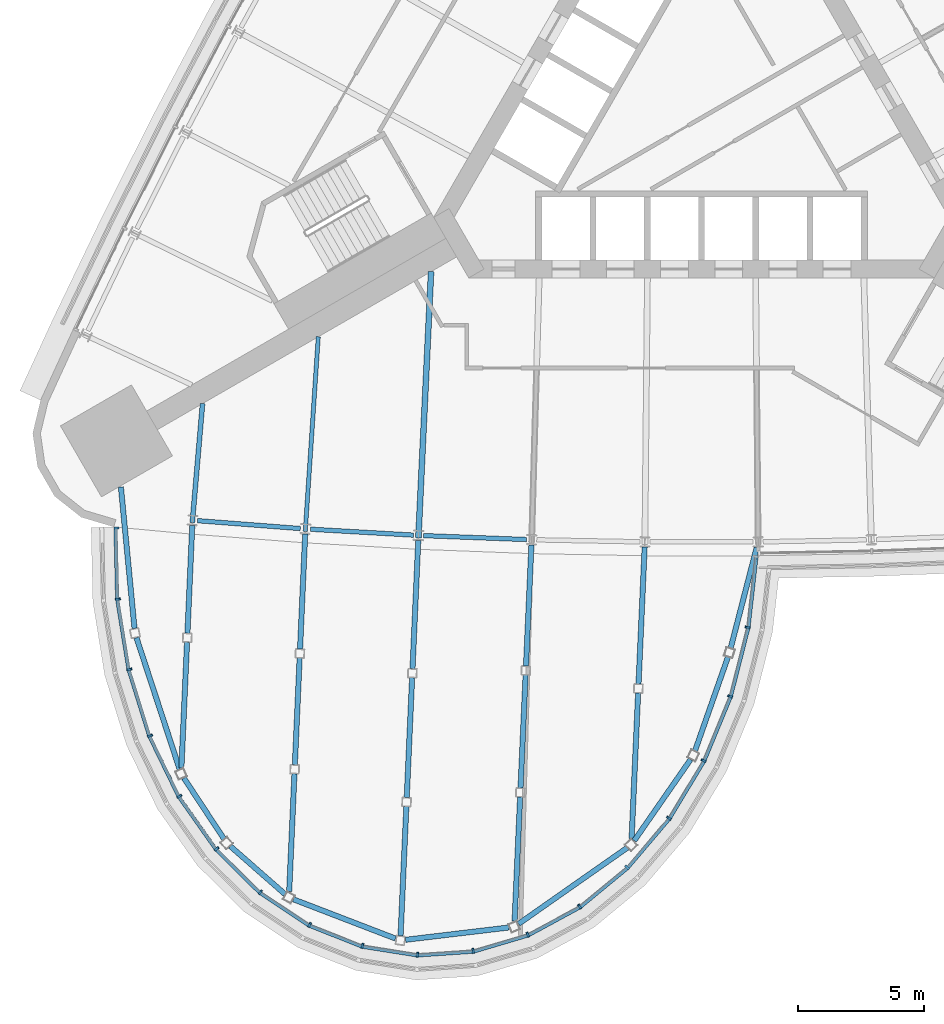
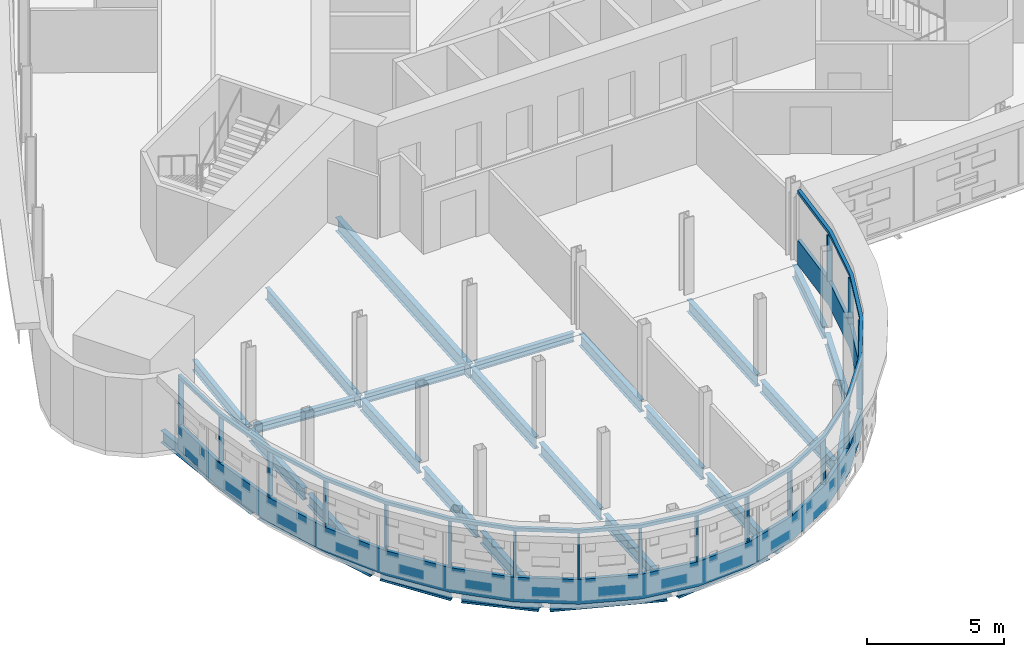
# One storey, part 3 of 16: 29 beams, 20 members, 1 element without a shape of its own.
"""IFC4 building model written with IfcOpenShell, lengths in metres."""

from ifc_helpers import new_model, si_unit, direction, frame, origin, origin_2d, place, context, subcontext, project, spatial, polyline, rectangle, i_section, outline, extrude, material, material_profile, profile_set, type_object, element, aggregate, save


model = new_model("IFC4")

# Units and contexts
model_context = context("Model", 3, precision=1e-05, world=origin(), true_north=direction((0.0, 1.0)))
body_context = subcontext(model_context, "Body", "Model", "MODEL_VIEW")
ifc_project = project(units=[si_unit("LENGTHUNIT", "METRE"), si_unit("AREAUNIT", "SQUARE_METRE"), si_unit("VOLUMEUNIT", "CUBIC_METRE"), si_unit("PLANEANGLEUNIT", "RADIAN"), si_unit("MASSUNIT", "GRAM", prefix="KILO")], contexts=[model_context])

# Site, building, storey
site_placement = place(None, origin())
site = spatial("IfcSite", under=ifc_project, at=site_placement, CompositionType="ELEMENT")
building_placement = place(site_placement, origin())
building = spatial("IfcBuilding", under=site, at=building_placement, Name="Noor Cloister Tower", CompositionType="ELEMENT")
storey_placement = place(building_placement, frame((0.0, 0.0, 61.800048828125)))
storey = spatial("IfcBuildingStorey", under=building, at=storey_placement, Name="L15", CompositionType="ELEMENT", Elevation=61.800048828125)

# Curtain wall, members
ifc_material_1 = material(Name="Aluminium 6063-T6 anodised", Category="aluminium")
curtain_wall_type = type_object("IfcCurtainWallType", Name="Sky bar curtain wall, lower bars CW2", PredefinedType="NOTDEFINED", material=ifc_material_1)
curtain_wall_placement = place(storey_placement, origin())
curtain_wall = element("IfcCurtainWall", 1, at=curtain_wall_placement, inside=storey, type_object=curtain_wall_type, Name="CW2 L15 S sky bar run 2", PredefinedType="NOTDEFINED")
ifc_material_2 = material(Name="Aluminium 6063-T6 anodised", Category="aluminium")
member_type_1 = type_object("IfcMemberType", Name="Head transom CW2 150", PredefinedType="USERDEFINED", material=ifc_material_2)
member_1_placement = place(storey_placement, frame((0.0, 0.0, 3.14990234375)))
member_1 = element("IfcMember", 2, at=member_1_placement, type_object=member_type_1, Name="CW2 head transom", ObjectType="TRANSOM", PredefinedType="USERDEFINED", context=body_context, shape_type="SweptSolid", body=[
    extrude(outline(polyline([(-23.29736328125, -16.80029296875), (-23.2314453125, -19.67138671875), (-22.779296875, -22.472412109375), (-21.954833984375, -25.11865234375), (-20.783203125, -27.529541015625), (-19.299560546875, -29.6318359375), (-17.549560546875, -31.361328125), (-15.5859375, -32.666015625), (-13.468505859375, -33.506103515625), (-11.26171875, -33.855712890625), (-9.0322265625, -33.70458984375), (-6.84814453125, -33.05712890625), (-4.77587890625, -31.933349609375), (-2.878173828125, -30.366943359375), (-1.212890625, -28.40576171875), (0.169677734375, -26.109130859375), (1.227294921875, -23.54736328125), (1.927734375, -20.797607421875), (2.25, -17.944091796875), (2.11083984375, -17.928466796875), (1.789794921875, -20.7724609375), (1.093994140625, -23.503173828125), (0.044189453125, -26.046142578125), (-1.326904296875, -28.32373046875), (-2.976806640625, -30.266845703125), (-4.8544921875, -31.816650390625), (-6.902099609375, -32.92724609375), (-9.05712890625, -33.56591796875), (-11.25537109375, -33.71484375), (-13.431396484375, -33.3701171875), (-15.520751953125, -32.541259765625), (-17.460693359375, -31.252197265625), (-19.1923828125, -29.540771484375), (-20.662109375, -27.4580078125), (-21.824462890625, -25.06689453125), (-22.642578125, -22.4404296875), (-23.091552734375, -19.658447265625), (-23.1572265625, -16.797119140625), (-23.29736328125, -16.80029296875)])), origin(), (0.0, 0.0, 1.0), 0.150146484375),
])
ifc_material_3 = material(Name="Aluminium 6063-T6 anodised", Category="aluminium")
ifc_material_profile_1 = material_profile(ifc_material_3, rectangle(XDim=0.199951171875, YDim=0.080078125, at=origin_2d()), Name="200 x 80 mullion")
ifc_profile_set_1 = profile_set([ifc_material_profile_1], Name="Aluminium 6063-T6 anodised")
member_type_2 = type_object("IfcMemberType", Name="Mullion CW2 80 x 200", PredefinedType="MULLION", material=ifc_profile_set_1)
member_2_placement = place(storey_placement, frame((-23.1962890625, -16.838134765625, 1.099853515625), z_axis=(0.0, 0.0, 1.0), x_axis=(0.999736542199, 0.022953130341, 0.0)))
member_2 = element("IfcMember", 3, at=member_2_placement, type_object=member_type_2, Name="CW2 mullion 1", PredefinedType="MULLION", context=body_context, shape_type="SweptSolid", body=[
    extrude(rectangle(XDim=0.199951171875, YDim=0.080078125, at=origin_2d()), origin(), (0.0, 0.0, 1.0), 2.050048828125),
])
member_3_placement = place(storey_placement, frame((-23.131591796875, -19.662109375, 1.099853515625), z_axis=(0.0, 0.0, 1.0), x_axis=(0.995819098609, 0.091347265121, 0.0)))
member_3 = element("IfcMember", 4, at=member_3_placement, type_object=member_type_2, Name="CW2 mullion 2", PredefinedType="MULLION", context=body_context, shape_type="SweptSolid", body=[
    extrude(rectangle(XDim=0.199951171875, YDim=0.080078125, at=origin_2d()), origin(), (0.0, 0.0, 1.0), 2.050048828125),
])
member_4_placement = place(storey_placement, frame((-22.681640625, -22.449462890625, 1.099853515625), z_axis=(0.0, 0.0, 1.0), x_axis=(0.973436544344, 0.228956970053, 0.0)))
member_4 = element("IfcMember", 5, at=member_4_placement, type_object=member_type_2, Name="CW2 mullion 3", PredefinedType="MULLION", context=body_context, shape_type="SweptSolid", body=[
    extrude(rectangle(XDim=0.199951171875, YDim=0.080078125, at=origin_2d()), origin(), (0.0, 0.0, 1.0), 2.050048828125),
])
member_5_placement = place(storey_placement, frame((-21.861572265625, -25.081787109375, 1.099853515625), z_axis=(0.0, 0.0, 1.0), x_axis=(0.929693335722, 0.368334496775, 0.0)))
member_5 = element("IfcMember", 6, at=member_5_placement, type_object=member_type_2, Name="CW2 mullion 4", PredefinedType="MULLION", context=body_context, shape_type="SweptSolid", body=[
    extrude(rectangle(XDim=0.199951171875, YDim=0.080078125, at=origin_2d()), origin(), (0.0, 0.0, 1.0), 2.050048828125),
])
member_6_placement = place(storey_placement, frame((-20.69677734375, -27.478515625, 1.099853515625), z_axis=(0.0, 0.0, 1.0), x_axis=(0.861046227696, 0.508526689339, 0.0)))
member_6 = element("IfcMember", 7, at=member_6_placement, type_object=member_type_2, Name="CW2 mullion 5", PredefinedType="MULLION", context=body_context, shape_type="SweptSolid", body=[
    extrude(rectangle(XDim=0.199951171875, YDim=0.080078125, at=origin_2d()), origin(), (0.0, 0.0, 1.0), 2.050048828125),
])
member_7_placement = place(storey_placement, frame((-19.22314453125, -29.56689453125, 1.099853515625), z_axis=(0.0, 0.0, 1.0), x_axis=(0.762969968702, 0.646433930777, 0.0)))
member_7 = element("IfcMember", 8, at=member_7_placement, type_object=member_type_2, Name="CW2 mullion 6", PredefinedType="MULLION", context=body_context, shape_type="SweptSolid", body=[
    extrude(rectangle(XDim=0.199951171875, YDim=0.080078125, at=origin_2d()), origin(), (0.0, 0.0, 1.0), 2.050048828125),
])
member_8_placement = place(storey_placement, frame((-17.486083984375, -31.283447265625, 1.099853515625), z_axis=(0.0, 0.0, 1.0), x_axis=(0.631107253283, 0.775695581304, 0.0)))
member_8 = element("IfcMember", 9, at=member_8_placement, type_object=member_type_2, Name="CW2 mullion 7", PredefinedType="MULLION", context=body_context, shape_type="SweptSolid", body=[
    extrude(rectangle(XDim=0.199951171875, YDim=0.080078125, at=origin_2d()), origin(), (0.0, 0.0, 1.0), 2.050048828125),
])
member_9_placement = place(storey_placement, frame((-15.539306640625, -32.576904296875, 1.099853515625), z_axis=(0.0, 0.0, 1.0), x_axis=(0.463586406363, 0.886051716231, 0.0)))
member_9 = element("IfcMember", 10, at=member_9_placement, type_object=member_type_2, Name="CW2 mullion 8", PredefinedType="MULLION", context=body_context, shape_type="SweptSolid", body=[
    extrude(rectangle(XDim=0.199951171875, YDim=0.080078125, at=origin_2d()), origin(), (0.0, 0.0, 1.0), 2.050048828125),
])
member_10_placement = place(storey_placement, frame((-13.44189453125, -33.408935546875, 1.099853515625), z_axis=(0.0, 0.0, 1.0), x_axis=(0.264225887671, 0.964460823613, 0.0)))
member_10 = element("IfcMember", 11, at=member_10_placement, type_object=member_type_2, Name="CW2 mullion 9", PredefinedType="MULLION", context=body_context, shape_type="SweptSolid", body=[
    extrude(rectangle(XDim=0.199951171875, YDim=0.080078125, at=origin_2d()), origin(), (0.0, 0.0, 1.0), 2.050048828125),
])
member_11_placement = place(storey_placement, frame((-11.257080078125, -33.755126953125, 1.099853515625), z_axis=(0.0, 0.0, 1.0), x_axis=(0.044724270619, 0.998999369178, 0.0)))
member_11 = element("IfcMember", 12, at=member_11_placement, type_object=member_type_2, Name="CW2 mullion 10", PredefinedType="MULLION", context=body_context, shape_type="SweptSolid", body=[
    extrude(rectangle(XDim=0.199951171875, YDim=0.080078125, at=origin_2d()), origin(), (0.0, 0.0, 1.0), 2.050048828125),
])
member_12_placement = place(storey_placement, frame((-9.050048828125, -33.60546875, 1.099853515625), z_axis=(0.0, 0.0, 1.0), x_axis=(-0.176985556802, 0.984213448741, 0.0)))
member_12 = element("IfcMember", 13, at=member_12_placement, type_object=member_type_2, Name="CW2 mullion 11", PredefinedType="MULLION", context=body_context, shape_type="SweptSolid", body=[
    extrude(rectangle(XDim=0.199951171875, YDim=0.080078125, at=origin_2d()), origin(), (0.0, 0.0, 1.0), 2.050048828125),
])
member_13_placement = place(storey_placement, frame((-6.88671875, -32.96435546875, 1.099853515625), z_axis=(0.0, 0.0, 1.0), x_axis=(-0.38255509187, 0.923932682442, 0.0)))
member_13 = element("IfcMember", 14, at=member_13_placement, type_object=member_type_2, Name="CW2 mullion 12", PredefinedType="MULLION", context=body_context, shape_type="SweptSolid", body=[
    extrude(rectangle(XDim=0.199951171875, YDim=0.080078125, at=origin_2d()), origin(), (0.0, 0.0, 1.0), 2.050048828125),
])
member_14_placement = place(storey_placement, frame((-4.83203125, -31.85009765625, 1.099853515625), z_axis=(0.0, 0.0, 1.0), x_axis=(-0.559267086026, 0.82898753096, 0.0)))
member_14 = element("IfcMember", 15, at=member_14_placement, type_object=member_type_2, Name="CW2 mullion 13", PredefinedType="MULLION", context=body_context, shape_type="SweptSolid", body=[
    extrude(rectangle(XDim=0.199951171875, YDim=0.080078125, at=origin_2d()), origin(), (0.0, 0.0, 1.0), 2.050048828125),
])
member_15_placement = place(storey_placement, frame((-2.94873046875, -30.29541015625, 1.099853515625), z_axis=(0.0, 0.0, 1.0), x_axis=(-0.702152978432, 0.71202611952, 0.0)))
member_15 = element("IfcMember", 16, at=member_15_placement, type_object=member_type_2, Name="CW2 mullion 14", PredefinedType="MULLION", context=body_context, shape_type="SweptSolid", body=[
    extrude(rectangle(XDim=0.199951171875, YDim=0.080078125, at=origin_2d()), origin(), (0.0, 0.0, 1.0), 2.050048828125),
])
member_16_placement = place(storey_placement, frame((-1.29443359375, -28.34716796875, 1.099853515625), z_axis=(0.0, 0.0, 1.0), x_axis=(-0.812160129323, 0.583434593025, 0.0)))
member_16 = element("IfcMember", 17, at=member_16_placement, type_object=member_type_2, Name="CW2 mullion 15", PredefinedType="MULLION", context=body_context, shape_type="SweptSolid", body=[
    extrude(rectangle(XDim=0.199951171875, YDim=0.080078125, at=origin_2d()), origin(), (0.0, 0.0, 1.0), 2.050048828125),
])
member_17_placement = place(storey_placement, frame((0.080078125, -26.064208984375, 1.099853515625), z_axis=(0.0, 0.0, 1.0), x_axis=(-0.89306006257, 0.44993746748, 0.0)))
member_17 = element("IfcMember", 18, at=member_17_placement, type_object=member_type_2, Name="CW2 mullion 16", PredefinedType="MULLION", context=body_context, shape_type="SweptSolid", body=[
    extrude(rectangle(XDim=0.199951171875, YDim=0.080078125, at=origin_2d()), origin(), (0.0, 0.0, 1.0), 2.050048828125),
])
member_18_placement = place(storey_placement, frame((1.132080078125, -23.515625, 1.099853515625), z_axis=(0.0, 0.0, 1.0), x_axis=(-0.949082911545, 0.315026390978, 0.0)))
member_18 = element("IfcMember", 19, at=member_18_placement, type_object=member_type_2, Name="CW2 mullion 17", PredefinedType="MULLION", context=body_context, shape_type="SweptSolid", body=[
    extrude(rectangle(XDim=0.199951171875, YDim=0.080078125, at=origin_2d()), origin(), (0.0, 0.0, 1.0), 2.050048828125),
])
member_19_placement = place(storey_placement, frame((1.8291015625, -20.77978515625, 1.099853515625), z_axis=(0.0, 0.0, 1.0), x_axis=(-0.98367260005, 0.179967263442, 0.0)))
member_19 = element("IfcMember", 20, at=member_19_placement, type_object=member_type_2, Name="CW2 mullion 18", PredefinedType="MULLION", context=body_context, shape_type="SweptSolid", body=[
    extrude(rectangle(XDim=0.199951171875, YDim=0.080078125, at=origin_2d()), origin(), (0.0, 0.0, 1.0), 2.050048828125),
])

# Beams
ifc_material_4 = material(Name="Steel ASTM A992 Gr 50", Category="steel")
ifc_material_profile_2 = material_profile(ifc_material_4, i_section(OverallWidth=0.208984375, OverallDepth=0.532958984375, WebThickness=0.01025390625, FlangeThickness=0.015625, FilletRadius=0.0126953125, at=origin_2d()), Name="W530x92")
ifc_profile_set_2 = profile_set([ifc_material_profile_2], Name="Steel ASTM A992 Gr 50")
beam_type_1 = type_object("IfcBeamType", Name="Pod floor beam W530x92", PredefinedType="BEAM", material=ifc_profile_set_2)
beam_1_placement = place(storey_placement, frame((-20.187255859375, -16.74462890625, -0.466552734375), z_axis=(-0.0447185403, -0.998999625702, 0.0), x_axis=(0.998999625702, -0.0447185403, 0.0)))
element("IfcBeam", 21, at=beam_1_placement, inside=storey, type_object=beam_type_1, Name="Pod floor beam 1 L15 line 1 span 1", PredefinedType="BEAM", context=body_context, shape_type="SweptSolid", body=[
    extrude(i_section(OverallWidth=0.208984375, OverallDepth=0.532958984375, WebThickness=0.01025390625, FlangeThickness=0.015625, FilletRadius=0.0126953125, at=origin_2d()), origin(), (0.0, 0.0, 1.0), 4.27490234375),
])
beam_2_placement = place(storey_placement, frame((-20.394287109375, -21.370849609375, -0.466552734375), z_axis=(-0.044697027211, -0.999000588468, 0.0), x_axis=(0.999000588468, -0.044697027211, 0.0)))
element("IfcBeam", 22, at=beam_2_placement, inside=storey, type_object=beam_type_1, Name="Pod floor beam 1 L15 line 1 span 2", PredefinedType="BEAM", context=body_context, shape_type="SweptSolid", body=[
    extrude(i_section(OverallWidth=0.208984375, OverallDepth=0.532958984375, WebThickness=0.01025390625, FlangeThickness=0.015625, FilletRadius=0.0126953125, at=origin_2d()), origin(), (0.0, 0.0, 1.0), 4.98681640625),
])
beam_3_placement = place(storey_placement, frame((-15.710693359375, -17.0849609375, -0.466552734375), z_axis=(-0.044713773715, -0.998999839059, 0.0), x_axis=(0.998999839059, -0.044713773715, 0.0)))
element("IfcBeam", 23, at=beam_3_placement, inside=storey, type_object=beam_type_1, Name="Pod floor beam 1 L15 line 2 span 1", PredefinedType="BEAM", context=body_context, shape_type="SweptSolid", body=[
    extrude(i_section(OverallWidth=0.208984375, OverallDepth=0.532958984375, WebThickness=0.01025390625, FlangeThickness=0.015625, FilletRadius=0.0126953125, at=origin_2d()), origin(), (0.0, 0.0, 1.0), 4.564697265625),
])
beam_4_placement = place(storey_placement, frame((-15.930908203125, -22.000732421875, -0.466552734375), z_axis=(-0.044711535741, -0.998999939225, 0.0), x_axis=(0.998999939225, -0.044711535741, 0.0)))
element("IfcBeam", 24, at=beam_4_placement, inside=storey, type_object=beam_type_1, Name="Pod floor beam 1 L15 line 2 span 2", PredefinedType="BEAM", context=body_context, shape_type="SweptSolid", body=[
    extrude(i_section(OverallWidth=0.208984375, OverallDepth=0.532958984375, WebThickness=0.01025390625, FlangeThickness=0.015625, FilletRadius=0.0126953125, at=origin_2d()), origin(), (0.0, 0.0, 1.0), 4.231689453125),
])
beam_5_placement = place(storey_placement, frame((-16.135986328125, -26.583984375, -0.466552734375), z_axis=(-0.04474452191, -0.998998462341, 0.0), x_axis=(0.998998462341, -0.04474452191, 0.0)))
element("IfcBeam", 25, at=beam_5_placement, inside=storey, type_object=beam_type_1, Name="Pod floor beam 1 L15 line 2 span 3", PredefinedType="BEAM", context=body_context, shape_type="SweptSolid", body=[
    extrude(i_section(OverallWidth=0.208984375, OverallDepth=0.532958984375, WebThickness=0.01025390625, FlangeThickness=0.015625, FilletRadius=0.0126953125, at=origin_2d()), origin(), (0.0, 0.0, 1.0), 4.676025390625),
])
beam_6_placement = place(storey_placement, frame((-11.228515625, -17.340087890625, -0.466552734375), z_axis=(-0.044728441489, -0.998999182443, 0.0), x_axis=(0.998999182443, -0.044728441489, 0.0)))
element("IfcBeam", 26, at=beam_6_placement, inside=storey, type_object=beam_type_1, Name="Pod floor beam 1 L15 line 3 span 1", PredefinedType="BEAM", context=body_context, shape_type="SweptSolid", body=[
    extrude(i_section(OverallWidth=0.208984375, OverallDepth=0.532958984375, WebThickness=0.01025390625, FlangeThickness=0.015625, FilletRadius=0.0126953125, at=origin_2d()), origin(), (0.0, 0.0, 1.0), 5.087158203125),
])
beam_7_placement = place(storey_placement, frame((-11.471923828125, -22.77783203125, -0.466552734375), z_axis=(-0.044758060439, -0.998997855866, 0.0), x_axis=(0.998997855866, -0.044758060439, 0.0)))
element("IfcBeam", 27, at=beam_7_placement, inside=storey, type_object=beam_type_1, Name="Pod floor beam 1 L15 line 3 span 2", PredefinedType="BEAM", context=body_context, shape_type="SweptSolid", body=[
    extrude(i_section(OverallWidth=0.208984375, OverallDepth=0.532958984375, WebThickness=0.01025390625, FlangeThickness=0.015625, FilletRadius=0.0126953125, at=origin_2d()), origin(), (0.0, 0.0, 1.0), 4.756591796875),
])
beam_8_placement = place(storey_placement, frame((-11.70068359375, -27.885009765625, -0.466552734375), z_axis=(-0.044735558828, -0.998998863751, 0.0), x_axis=(0.998998863751, -0.044735558828, 0.0)))
element("IfcBeam", 28, at=beam_8_placement, inside=storey, type_object=beam_type_1, Name="Pod floor beam 1 L15 line 3 span 3", PredefinedType="BEAM", context=body_context, shape_type="SweptSolid", body=[
    extrude(i_section(OverallWidth=0.208984375, OverallDepth=0.532958984375, WebThickness=0.01025390625, FlangeThickness=0.015625, FilletRadius=0.0126953125, at=origin_2d()), origin(), (0.0, 0.0, 1.0), 5.12451171875),
])
beam_9_placement = place(storey_placement, frame((-6.742431640625, -17.512939453125, -0.466552734375), z_axis=(-0.044756244255, -0.998997937235, 0.0), x_axis=(0.998997937235, -0.044756244255, 0.0)))
element("IfcBeam", 29, at=beam_9_placement, inside=storey, type_object=beam_type_1, Name="Pod floor beam 1 L15 line 4 span 1", PredefinedType="BEAM", context=body_context, shape_type="SweptSolid", body=[
    extrude(i_section(OverallWidth=0.208984375, OverallDepth=0.532958984375, WebThickness=0.01025390625, FlangeThickness=0.015625, FilletRadius=0.0126953125, at=origin_2d()), origin(), (0.0, 0.0, 1.0), 4.811279296875),
])
beam_10_placement = place(storey_placement, frame((-6.9736328125, -22.6748046875, -0.466552734375), z_axis=(-0.044693143381, -0.999000762229, 0.0), x_axis=(0.999000762229, -0.044693143381, 0.0)))
element("IfcBeam", 30, at=beam_10_placement, inside=storey, type_object=beam_type_1, Name="Pod floor beam 1 L15 line 4 span 2", PredefinedType="BEAM", context=body_context, shape_type="SweptSolid", body=[
    extrude(i_section(OverallWidth=0.208984375, OverallDepth=0.532958984375, WebThickness=0.01025390625, FlangeThickness=0.015625, FilletRadius=0.0126953125, at=origin_2d()), origin(), (0.0, 0.0, 1.0), 4.479248046875),
])
beam_11_placement = place(storey_placement, frame((-7.18994140625, -27.505126953125, -0.466552734375), z_axis=(-0.044691358875, -0.999000842063, 0.0), x_axis=(0.999000842063, -0.044691358875, 0.0)))
element("IfcBeam", 31, at=beam_11_placement, inside=storey, type_object=beam_type_1, Name="Pod floor beam 1 L15 line 4 span 3", PredefinedType="BEAM", context=body_context, shape_type="SweptSolid", body=[
    extrude(i_section(OverallWidth=0.208984375, OverallDepth=0.532958984375, WebThickness=0.01025390625, FlangeThickness=0.015625, FilletRadius=0.0126953125, at=origin_2d()), origin(), (0.0, 0.0, 1.0), 4.91650390625),
])
beam_12_placement = place(storey_placement, frame((-2.25390625, -17.6005859375, -0.466552734375), z_axis=(-0.044724605508, -0.998999354185, 0.0), x_axis=(0.998999354185, -0.044724605508, 0.0)))
element("IfcBeam", 32, at=beam_12_placement, inside=storey, type_object=beam_type_1, Name="Pod floor beam 1 L15 line 5 span 1", PredefinedType="BEAM", context=body_context, shape_type="SweptSolid", body=[
    extrude(i_section(OverallWidth=0.208984375, OverallDepth=0.532958984375, WebThickness=0.01025390625, FlangeThickness=0.015625, FilletRadius=0.0126953125, at=origin_2d()), origin(), (0.0, 0.0, 1.0), 5.431396484375),
])
beam_13_placement = place(storey_placement, frame((-2.5126953125, -23.38232421875, -0.466552734375), z_axis=(-0.044757741866, -0.998997870139, 0.0), x_axis=(0.998997870139, -0.044757741866, 0.0)))
element("IfcBeam", 33, at=beam_13_placement, inside=storey, type_object=beam_type_1, Name="Pod floor beam 1 L15 line 5 span 2", PredefinedType="BEAM", context=body_context, shape_type="SweptSolid", body=[
    extrude(i_section(OverallWidth=0.208984375, OverallDepth=0.532958984375, WebThickness=0.01025390625, FlangeThickness=0.015625, FilletRadius=0.0126953125, at=origin_2d()), origin(), (0.0, 0.0, 1.0), 5.776611328125),
])
beam_14_placement = place(storey_placement, frame((-23.016357421875, -15.21484375, -0.466552734375), z_axis=(0.095854491896, -0.995395356822, 0.0), x_axis=(0.995395356822, 0.095854491896, 0.0)))
element("IfcBeam", 34, at=beam_14_placement, inside=storey, type_object=beam_type_1, Name="Pod floor beam 1 L15 ring 1", PredefinedType="BEAM", context=body_context, shape_type="SweptSolid", body=[
    extrude(i_section(OverallWidth=0.208984375, OverallDepth=0.532958984375, WebThickness=0.01025390625, FlangeThickness=0.015625, FilletRadius=0.0126953125, at=origin_2d()), origin(), (0.0, 0.0, 1.0), 5.63134765625),
])
beam_15_placement = place(storey_placement, frame((-22.398681640625, -21.191162109375, -0.466552734375), z_axis=(0.311611186765, -0.950209697005, 0.0), x_axis=(0.950209697005, 0.311611186765, 0.0)))
element("IfcBeam", 35, at=beam_15_placement, inside=storey, type_object=beam_type_1, Name="Pod floor beam 1 L15 ring 2", PredefinedType="BEAM", context=body_context, shape_type="SweptSolid", body=[
    extrude(i_section(OverallWidth=0.208984375, OverallDepth=0.532958984375, WebThickness=0.01025390625, FlangeThickness=0.015625, FilletRadius=0.0126953125, at=origin_2d()), origin(), (0.0, 0.0, 1.0), 5.49365234375),
])
beam_16_placement = place(storey_placement, frame((-20.5185546875, -26.75634765625, -0.466552734375), z_axis=(0.550385618735, -0.834910576463, 0.0), x_axis=(0.834910576463, 0.550385618735, 0.0)))
element("IfcBeam", 36, at=beam_16_placement, inside=storey, type_object=beam_type_1, Name="Pod floor beam 1 L15 ring 3", PredefinedType="BEAM", context=body_context, shape_type="SweptSolid", body=[
    extrude(i_section(OverallWidth=0.208984375, OverallDepth=0.532958984375, WebThickness=0.01025390625, FlangeThickness=0.015625, FilletRadius=0.0126953125, at=origin_2d()), origin(), (0.0, 0.0, 1.0), 2.890869140625),
])
beam_17_placement = place(storey_placement, frame((-18.67529296875, -29.459228515625, -0.466552734375), z_axis=(0.751694263703, -0.659511739029, 0.0), x_axis=(0.659511739029, 0.751694263703, 0.0)))
element("IfcBeam", 37, at=beam_17_placement, inside=storey, type_object=beam_type_1, Name="Pod floor beam 1 L15 ring 4", PredefinedType="BEAM", context=body_context, shape_type="SweptSolid", body=[
    extrude(i_section(OverallWidth=0.208984375, OverallDepth=0.532958984375, WebThickness=0.01025390625, FlangeThickness=0.015625, FilletRadius=0.0126953125, at=origin_2d()), origin(), (0.0, 0.0, 1.0), 2.881591796875),
])
beam_18_placement = place(storey_placement, frame((-16.173828125, -31.564208984375, -0.466552734375), z_axis=(0.933461837058, -0.358676732944, 0.0), x_axis=(0.358676732944, 0.933461837058, 0.0)))
element("IfcBeam", 38, at=beam_18_placement, inside=storey, type_object=beam_type_1, Name="Pod floor beam 1 L15 ring 5", PredefinedType="BEAM", context=body_context, shape_type="SweptSolid", body=[
    extrude(i_section(OverallWidth=0.208984375, OverallDepth=0.532958984375, WebThickness=0.01025390625, FlangeThickness=0.015625, FilletRadius=0.0126953125, at=origin_2d()), origin(), (0.0, 0.0, 1.0), 4.3291015625),
])
beam_19_placement = place(storey_placement, frame((-11.729736328125, -33.166748046875, -0.466552734375), z_axis=(0.992972554467, 0.118344860791, 0.0), x_axis=(-0.118344860791, 0.992972554467, 0.0)))
element("IfcBeam", 39, at=beam_19_placement, inside=storey, type_object=beam_type_1, Name="Pod floor beam 1 L15 ring 6", PredefinedType="BEAM", context=body_context, shape_type="SweptSolid", body=[
    extrude(i_section(OverallWidth=0.208984375, OverallDepth=0.532958984375, WebThickness=0.01025390625, FlangeThickness=0.015625, FilletRadius=0.0126953125, at=origin_2d()), origin(), (0.0, 0.0, 1.0), 4.1259765625),
])
beam_20_placement = place(storey_placement, frame((-7.251953125, -32.53515625, -0.466552734375), z_axis=(0.819042197603, 0.573733281714, 0.0), x_axis=(-0.573733281714, 0.819042197603, 0.0)))
element("IfcBeam", 40, at=beam_20_placement, inside=storey, type_object=beam_type_1, Name="Pod floor beam 1 L15 ring 7", PredefinedType="BEAM", context=body_context, shape_type="SweptSolid", body=[
    extrude(i_section(OverallWidth=0.208984375, OverallDepth=0.532958984375, WebThickness=0.01025390625, FlangeThickness=0.015625, FilletRadius=0.0126953125, at=origin_2d()), origin(), (0.0, 0.0, 1.0), 5.2607421875),
])
beam_21_placement = place(storey_placement, frame((-2.666748046875, -29.23779296875, -0.466552734375), z_axis=(0.57017855678, 0.821520793035, 0.0), x_axis=(-0.821520793035, 0.57017855678, 0.0)))
element("IfcBeam", 41, at=beam_21_placement, inside=storey, type_object=beam_type_1, Name="Pod floor beam 1 L15 ring 8", PredefinedType="BEAM", context=body_context, shape_type="SweptSolid", body=[
    extrude(i_section(OverallWidth=0.208984375, OverallDepth=0.532958984375, WebThickness=0.01025390625, FlangeThickness=0.015625, FilletRadius=0.0126953125, at=origin_2d()), origin(), (0.0, 0.0, 1.0), 3.91748046875),
])
beam_22_placement = place(storey_placement, frame((-0.258544921875, -25.677734375, -0.466552734375), z_axis=(0.331426381667, 0.943481082765, 0.0), x_axis=(-0.943481082765, 0.331426381667, 0.0)))
element("IfcBeam", 42, at=beam_22_placement, inside=storey, type_object=beam_type_1, Name="Pod floor beam 1 L15 ring 9", PredefinedType="BEAM", context=body_context, shape_type="SweptSolid", body=[
    extrude(i_section(OverallWidth=0.208984375, OverallDepth=0.532958984375, WebThickness=0.01025390625, FlangeThickness=0.015625, FilletRadius=0.0126953125, at=origin_2d()), origin(), (0.0, 0.0, 1.0), 3.94091796875),
])
beam_23_placement = place(storey_placement, frame((1.15380859375, -21.610595703125, -0.466552734375), z_axis=(0.250480568007, 0.968121627199, 0.0), x_axis=(-0.968121627199, 0.250480568007, 0.0)))
element("IfcBeam", 43, at=beam_23_placement, inside=storey, type_object=beam_type_1, Name="Pod floor beam 1 L15 ring 10", PredefinedType="BEAM", context=body_context, shape_type="SweptSolid", body=[
    extrude(i_section(OverallWidth=0.208984375, OverallDepth=0.532958984375, WebThickness=0.01025390625, FlangeThickness=0.015625, FilletRadius=0.0126953125, at=origin_2d()), origin(), (0.0, 0.0, 1.0), 4.1171875),
])
ifc_material_5 = material(Name="Steel ASTM A992 Gr 50", Category="steel")
ifc_material_profile_3 = material_profile(ifc_material_5, i_section(OverallWidth=0.19091796875, OverallDepth=0.45703125, WebThickness=0.009033203125, FlangeThickness=0.014404296875, FilletRadius=0.01025390625, at=origin_2d()), Name="W460x74")
ifc_profile_set_3 = profile_set([ifc_material_profile_3], Name="Steel ASTM A992 Gr 50")
beam_type_2 = type_object("IfcBeamType", Name="Radial beam W460x74", PredefinedType="BEAM", material=ifc_profile_set_3)
beam_24_placement = place(storey_placement, frame((-20.186279296875, -16.634033203125, -0.428466796875), z_axis=(0.085840752888, 0.996308870353, 0.0), x_axis=(-0.996308870353, 0.085840752888, 0.0)))
element("IfcBeam", 44, at=beam_24_placement, inside=storey, type_object=beam_type_2, Name="Radial beam S 01 L15", PredefinedType="BEAM", context=body_context, shape_type="SweptSolid", body=[
    extrude(i_section(OverallWidth=0.19091796875, OverallDepth=0.45703125, WebThickness=0.009033203125, FlangeThickness=0.014404296875, FilletRadius=0.01025390625, at=origin_2d()), origin(), (0.0, 0.0, 1.0), 4.7412109375),
])
ifc_material_6 = material(Name="Steel ASTM A992 Gr 50", Category="steel")
ifc_material_profile_4 = material_profile(ifc_material_6, i_section(OverallWidth=0.166015625, OverallDepth=0.528076171875, WebThickness=0.009765625, FlangeThickness=0.013671875, FilletRadius=0.0126953125, at=origin_2d()), Name="W530x74")
ifc_profile_set_4 = profile_set([ifc_material_profile_4], Name="Steel ASTM A992 Gr 50")
beam_type_3 = type_object("IfcBeamType", Name="Radial beam W530x74", PredefinedType="BEAM", material=ifc_profile_set_4)
beam_25_placement = place(storey_placement, frame((-15.7080078125, -16.976806640625, -0.464111328125), z_axis=(0.066778864516, 0.997767800269, 0.0), x_axis=(-0.997767800269, 0.066778864516, 0.0)))
element("IfcBeam", 45, at=beam_25_placement, inside=storey, type_object=beam_type_3, Name="Radial beam S 02 L15", PredefinedType="BEAM", context=body_context, shape_type="SweptSolid", body=[
    extrude(i_section(OverallWidth=0.166015625, OverallDepth=0.528076171875, WebThickness=0.009765625, FlangeThickness=0.013671875, FilletRadius=0.0126953125, at=origin_2d()), origin(), (0.0, 0.0, 1.0), 7.732421875),
])
ifc_material_7 = material(Name="Steel ASTM A992 Gr 50", Category="steel")
ifc_material_profile_5 = material_profile(ifc_material_7, i_section(OverallWidth=0.22802734375, OverallDepth=0.60205078125, WebThickness=0.010498046875, FlangeThickness=0.014892578125, FilletRadius=0.0126953125, at=origin_2d()), Name="W610x101")
ifc_profile_set_5 = profile_set([ifc_material_profile_5], Name="Steel ASTM A992 Gr 50")
beam_type_4 = type_object("IfcBeamType", Name="Radial beam W610x101", PredefinedType="BEAM", material=ifc_profile_set_5)
beam_26_placement = place(storey_placement, frame((-11.22412109375, -17.23388671875, -0.5009765625), z_axis=(0.047714450947, 0.998861016944, 0.0), x_axis=(-0.998861016944, 0.047714450947, 0.0)))
element("IfcBeam", 46, at=beam_26_placement, inside=storey, type_object=beam_type_4, Name="Radial beam S 03 L15", PredefinedType="BEAM", context=body_context, shape_type="SweptSolid", body=[
    extrude(i_section(OverallWidth=0.22802734375, OverallDepth=0.60205078125, WebThickness=0.010498046875, FlangeThickness=0.014892578125, FilletRadius=0.0126953125, at=origin_2d()), origin(), (0.0, 0.0, 1.0), 10.56591796875),
])

# Member
ifc_material_8 = material(Name="Aluminium 6063-T6 anodised", Category="aluminium")
member_type_3 = type_object("IfcMemberType", Name="Sill transom CW2 1100", PredefinedType="USERDEFINED", material=ifc_material_8)
member_20_placement = place(storey_placement, origin())
member_20 = element("IfcMember", 47, at=member_20_placement, type_object=member_type_3, Name="CW2 sill transom", ObjectType="TRANSOM", PredefinedType="USERDEFINED", context=body_context, shape_type="SweptSolid", body=[
    extrude(outline(polyline([(-23.29736328125, -16.80029296875), (-23.2314453125, -19.67138671875), (-22.779296875, -22.472412109375), (-21.954833984375, -25.11865234375), (-20.783203125, -27.529541015625), (-19.299560546875, -29.6318359375), (-17.549560546875, -31.361328125), (-15.5859375, -32.666015625), (-13.468505859375, -33.506103515625), (-11.26171875, -33.855712890625), (-9.0322265625, -33.70458984375), (-6.84814453125, -33.05712890625), (-4.77587890625, -31.933349609375), (-2.878173828125, -30.366943359375), (-1.212890625, -28.40576171875), (0.169677734375, -26.109130859375), (1.227294921875, -23.54736328125), (1.927734375, -20.797607421875), (2.25, -17.944091796875), (2.11083984375, -17.928466796875), (1.789794921875, -20.7724609375), (1.093994140625, -23.503173828125), (0.044189453125, -26.046142578125), (-1.326904296875, -28.32373046875), (-2.976806640625, -30.266845703125), (-4.8544921875, -31.816650390625), (-6.902099609375, -32.92724609375), (-9.05712890625, -33.56591796875), (-11.25537109375, -33.71484375), (-13.431396484375, -33.3701171875), (-15.520751953125, -32.541259765625), (-17.460693359375, -31.252197265625), (-19.1923828125, -29.540771484375), (-20.662109375, -27.4580078125), (-21.824462890625, -25.06689453125), (-22.642578125, -22.4404296875), (-23.091552734375, -19.658447265625), (-23.1572265625, -16.797119140625), (-23.29736328125, -16.80029296875)])), origin(), (0.0, 0.0, 1.0), 1.099853515625),
])

aggregate(curtain_wall, [member_2, member_3, member_4, member_5, member_6, member_7, member_8, member_9, member_10, member_11, member_12, member_13, member_14, member_15, member_16, member_17, member_18, member_19, member_20, member_1])

# Beams
ifc_material_9 = material(Name="Steel ASTM A992 Gr 50", Category="steel")
ifc_material_profile_6 = material_profile(ifc_material_9, i_section(OverallWidth=0.177978515625, OverallDepth=0.406005859375, WebThickness=0.0078125, FlangeThickness=0.0126953125, FilletRadius=0.01025390625, at=origin_2d()), Name="W410x60")
ifc_profile_set_6 = profile_set([ifc_material_profile_6], Name="Steel ASTM A992 Gr 50")
beam_type_5 = type_object("IfcBeamType", Name="Spandrel beam W410x60", PredefinedType="SPANDREL", material=ifc_profile_set_6)
for number, where, z_axis, x_axis, name in (
    (48, (-19.9765625, -16.552734375, -0.403076171875), (0.997083939733, -0.076312627572, 0.0), (0.076312627572, 0.997083939733, 0.0), "Spandrel beam S 01 L15"),
    (49, (-15.499755859375, -16.891357421875, -0.403076171875), (0.998356421162, -0.057310176457, 0.0), (0.057310176457, 0.998356421162, 0.0), "Spandrel beam S 02 L15"),
    (50, (-11.017578125, -17.144775390625, -0.403076171875), (0.999270676901, -0.03818526268, 0.0), (0.03818526268, 0.999270676901, 0.0), "Spandrel beam S 03 L15"),
):
    element("IfcBeam", number, at=place(storey_placement, frame(where, z_axis=z_axis, x_axis=x_axis)), inside=storey, type_object=beam_type_5, Name=name, PredefinedType="SPANDREL", context=body_context, shape_type="SweptSolid", body=[
        extrude(i_section(OverallWidth=0.177978515625, OverallDepth=0.406005859375, WebThickness=0.0078125, FlangeThickness=0.0126953125, FilletRadius=0.01025390625, at=origin_2d()), origin(), (0.0, 0.0, 1.0), 4.08544921875),
    ])

save(model, "model.ifc")
